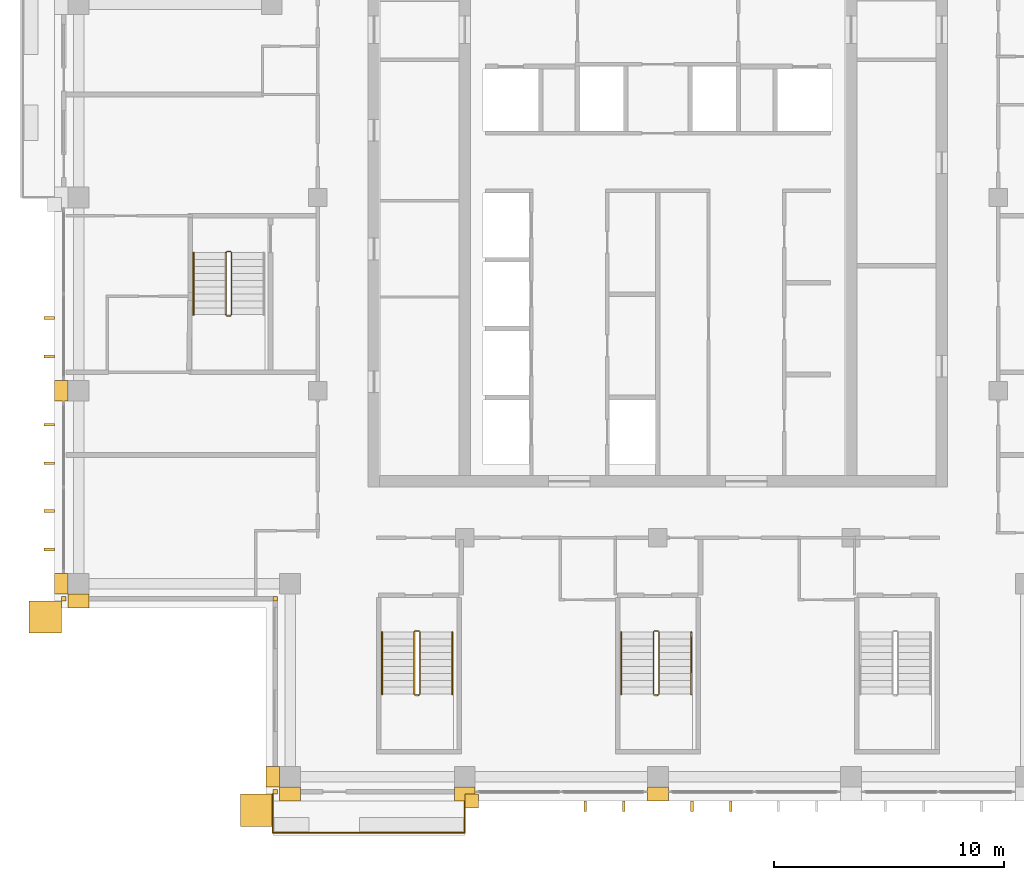
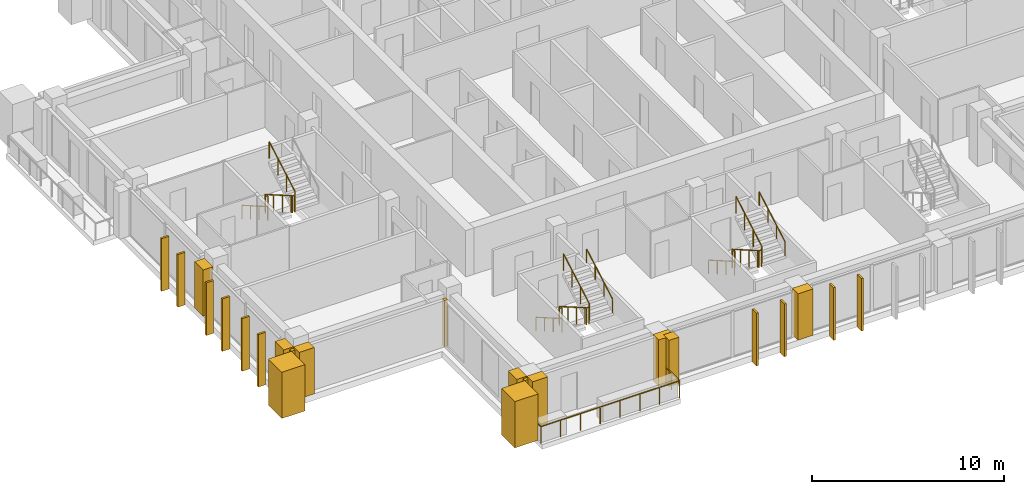
# One storey, part 15 of 18: 23 coverings, 9 railings.
"""IFC4 building model written with IfcOpenShell, lengths in metres."""

from ifc_helpers import new_model, si_unit, direction, frame, origin, origin_2d, place, context, subcontext, project, spatial, polyline, rectangle, outline, extrude, material, layer, layer_set, type_object, element, save


model = new_model("IFC4")

# Units and contexts
model_context = context("Model", 3, precision=1e-05, world=origin(), true_north=direction((0.0, 1.0)))
body_context = subcontext(model_context, "Body", "Model", "MODEL_VIEW")
ifc_project = project(units=[si_unit("LENGTHUNIT", "METRE"), si_unit("AREAUNIT", "SQUARE_METRE"), si_unit("VOLUMEUNIT", "CUBIC_METRE"), si_unit("PLANEANGLEUNIT", "RADIAN"), si_unit("MASSUNIT", "GRAM", prefix="KILO")], contexts=[model_context])

# Site, building, storey
site_placement = place(None, origin())
site = spatial("IfcSite", under=ifc_project, at=site_placement, CompositionType="ELEMENT")
building_placement = place(site_placement, origin())
building = spatial("IfcBuilding", under=site, at=building_placement, Name="Vermilion Ogive Tower", CompositionType="ELEMENT")
storey_placement = place(building_placement, frame((0.0, 0.0, 261.39990234375)))
storey = spatial("IfcBuildingStorey", under=building, at=storey_placement, Name="L69", CompositionType="ELEMENT", Elevation=261.39990234375)

# Railing
ifc_material_1 = material(Name="Stainless steel and glass", Category="steel")
railing_type_1 = type_object("IfcRailingType", Name="Balcony guard", PredefinedType="GUARDRAIL", material=ifc_material_1)
railing_1_placement = place(storey_placement, frame((-16.75, -21.75, -0.039794921875)))
element("IfcRailing", 1, at=railing_1_placement, inside=storey, type_object=railing_type_1, Name="Guard S01", PredefinedType="GUARDRAIL", context=body_context, shape_type="SweptSolid", body=[
    extrude(rectangle(XDim=0.048095703125, YDim=0.048095703125, at=origin_2d()), frame((0.0, 0.0, 1.076171875), z_axis=(0.0, -1.0, 0.0), x_axis=(1.0, 0.0, 0.0)), (0.0, 0.0, 1.0), 1.677978515625),
    extrude(rectangle(XDim=0.048095703125, YDim=0.048095703125, at=origin_2d()), frame((0.0, -1.677978515625, 1.076171875), z_axis=(1.0, 0.0, 0.0), x_axis=(0.0, 1.0, 0.0)), (0.0, 0.0, 1.0), 8.35009765625),
    extrude(rectangle(XDim=0.048095703125, YDim=0.048095703125, at=origin_2d()), frame((8.35009765625, -1.677978515625, 1.076171875), z_axis=(0.0, 1.0, 0.0), x_axis=(-1.0, 0.0, 0.0)), (0.0, 0.0, 1.0), 1.677978515625),
    extrude(rectangle(XDim=0.0419921875, YDim=0.0419921875, at=origin_2d()), origin(), (0.0, 0.0, 1.0), 1.052001953125),
    extrude(rectangle(XDim=0.0419921875, YDim=0.0419921875, at=origin_2d()), frame((0.0, -0.8388671875, 0.0)), (0.0, 0.0, 1.0), 1.052001953125),
    extrude(rectangle(XDim=0.0419921875, YDim=0.0419921875, at=origin_2d()), frame((0.0, -1.677978515625, 0.0)), (0.0, 0.0, 1.0), 1.052001953125),
    extrude(rectangle(XDim=0.0419921875, YDim=0.0419921875, at=origin_2d()), frame((1.19287109375, -1.677978515625, 0.0)), (0.0, 0.0, 1.0), 1.052001953125),
    extrude(rectangle(XDim=0.0419921875, YDim=0.0419921875, at=origin_2d()), frame((2.3857421875, -1.677978515625, 0.0)), (0.0, 0.0, 1.0), 1.052001953125),
    extrude(rectangle(XDim=0.0419921875, YDim=0.0419921875, at=origin_2d()), frame((3.57861328125, -1.677978515625, 0.0)), (0.0, 0.0, 1.0), 1.052001953125),
    extrude(rectangle(XDim=0.0419921875, YDim=0.0419921875, at=origin_2d()), frame((4.771484375, -1.677978515625, 0.0)), (0.0, 0.0, 1.0), 1.052001953125),
    extrude(rectangle(XDim=0.0419921875, YDim=0.0419921875, at=origin_2d()), frame((5.96435546875, -1.677978515625, 0.0)), (0.0, 0.0, 1.0), 1.052001953125),
    extrude(rectangle(XDim=0.0419921875, YDim=0.0419921875, at=origin_2d()), frame((7.1572265625, -1.677978515625, 0.0)), (0.0, 0.0, 1.0), 1.052001953125),
    extrude(rectangle(XDim=0.0419921875, YDim=0.0419921875, at=origin_2d()), frame((8.35009765625, -1.677978515625, 0.0)), (0.0, 0.0, 1.0), 1.052001953125),
    extrude(rectangle(XDim=0.0419921875, YDim=0.0419921875, at=origin_2d()), frame((8.35009765625, -0.8388671875, 0.0)), (0.0, 0.0, 1.0), 1.052001953125),
    extrude(rectangle(XDim=0.0419921875, YDim=0.0419921875, at=origin_2d()), frame((8.35009765625, 0.0, 0.0)), (0.0, 0.0, 1.0), 1.052001953125),
])

# Coverings
ifc_material_2 = material(Name="Glazed ceramic screen")
ifc_layer = layer(ifc_material_2, 0.14990234375)
ifc_layer_set = layer_set([ifc_layer], Name="Ceramic solar screen fin")
covering_type_1 = type_object("IfcCoveringType", Name="Ceramic solar screen fin", PredefinedType="CLADDING", material=ifc_layer_set)
covering_1_placement = place(storey_placement, frame((0.0, 0.0, -0.39990234375)))
element("IfcCovering", 2, at=covering_1_placement, inside=storey, type_object=covering_type_1, Name="Solar screen blade S991", PredefinedType="CLADDING", context=body_context, shape_type="SweptSolid", body=[
    extrude(outline(polyline([(-3.222412109375, -22.5), (-3.1025390625, -22.5), (-3.1025390625, -22.050048828125), (-3.222412109375, -22.050048828125), (-3.222412109375, -22.5)])), origin(), (0.0, 0.0, 1.0), 3.35009765625),
])
covering_2_placement = place(storey_placement, frame((0.0, 0.0, -0.39990234375)))
element("IfcCovering", 3, at=covering_2_placement, inside=storey, type_object=covering_type_1, Name="Solar screen blade S992", PredefinedType="CLADDING", context=body_context, shape_type="SweptSolid", body=[
    extrude(outline(polyline([(-1.547607421875, -22.5), (-1.427490234375, -22.5), (-1.427490234375, -22.050048828125), (-1.547607421875, -22.050048828125), (-1.547607421875, -22.5)])), origin(), (0.0, 0.0, 1.0), 3.35009765625),
])
covering_3_placement = place(storey_placement, frame((0.0, 0.0, -0.39990234375)))
element("IfcCovering", 4, at=covering_3_placement, inside=storey, type_object=covering_type_1, Name="Solar screen blade S001", PredefinedType="CLADDING", context=body_context, shape_type="SweptSolid", body=[
    extrude(outline(polyline([(1.427490234375, -22.5), (1.547607421875, -22.5), (1.547607421875, -22.050048828125), (1.427490234375, -22.050048828125), (1.427490234375, -22.5)])), origin(), (0.0, 0.0, 1.0), 3.35009765625),
])
covering_4_placement = place(storey_placement, frame((0.0, 0.0, -0.39990234375)))
element("IfcCovering", 5, at=covering_4_placement, inside=storey, type_object=covering_type_1, Name="Solar screen blade S002", PredefinedType="CLADDING", context=body_context, shape_type="SweptSolid", body=[
    extrude(outline(polyline([(3.1025390625, -22.5), (3.222412109375, -22.5), (3.222412109375, -22.050048828125), (3.1025390625, -22.050048828125), (3.1025390625, -22.5)])), origin(), (0.0, 0.0, 1.0), 3.35009765625),
])
covering_5_placement = place(storey_placement, frame((0.0, 0.0, -0.39990234375)))
element("IfcCovering", 6, at=covering_5_placement, inside=storey, type_object=covering_type_1, Name="Solar screen blade W991", PredefinedType="CLADDING", context=body_context, shape_type="SweptSolid", body=[
    extrude(outline(polyline([(-26.699951171875, -0.9775390625), (-26.699951171875, -1.097412109375), (-26.25, -1.097412109375), (-26.25, -0.9775390625), (-26.699951171875, -0.9775390625)])), origin(), (0.0, 0.0, 1.0), 3.35009765625),
])
covering_6_placement = place(storey_placement, frame((0.0, 0.0, -0.39990234375)))
element("IfcCovering", 7, at=covering_6_placement, inside=storey, type_object=covering_type_1, Name="Solar screen blade W992", PredefinedType="CLADDING", context=body_context, shape_type="SweptSolid", body=[
    extrude(outline(polyline([(-26.699951171875, -2.652587890625), (-26.699951171875, -2.7724609375), (-26.25, -2.7724609375), (-26.25, -2.652587890625), (-26.699951171875, -2.652587890625)])), origin(), (0.0, 0.0, 1.0), 3.35009765625),
])
covering_7_placement = place(storey_placement, frame((0.0, 0.0, -0.39990234375)))
element("IfcCovering", 8, at=covering_7_placement, inside=storey, type_object=covering_type_1, Name="Solar screen blade W971", PredefinedType="CLADDING", context=body_context, shape_type="SweptSolid", body=[
    extrude(outline(polyline([(-26.699951171875, -9.37744140625), (-26.699951171875, -9.49755859375), (-26.25, -9.49755859375), (-26.25, -9.37744140625), (-26.699951171875, -9.37744140625)])), origin(), (0.0, 0.0, 1.0), 3.35009765625),
])
covering_8_placement = place(storey_placement, frame((0.0, 0.0, -0.39990234375)))
element("IfcCovering", 9, at=covering_8_placement, inside=storey, type_object=covering_type_1, Name="Solar screen blade W972", PredefinedType="CLADDING", context=body_context, shape_type="SweptSolid", body=[
    extrude(outline(polyline([(-26.699951171875, -11.052490234375), (-26.699951171875, -11.172607421875), (-26.25, -11.172607421875), (-26.25, -11.052490234375), (-26.699951171875, -11.052490234375)])), origin(), (0.0, 0.0, 1.0), 3.35009765625),
])
covering_9_placement = place(storey_placement, frame((0.0, 0.0, -0.39990234375)))
element("IfcCovering", 10, at=covering_9_placement, inside=storey, type_object=covering_type_1, Name="Solar screen blade W981", PredefinedType="CLADDING", context=body_context, shape_type="SweptSolid", body=[
    extrude(outline(polyline([(-26.699951171875, -5.62744140625), (-26.699951171875, -5.74755859375), (-26.25, -5.74755859375), (-26.25, -5.62744140625), (-26.699951171875, -5.62744140625)])), origin(), (0.0, 0.0, 1.0), 3.35009765625),
])
covering_10_placement = place(storey_placement, frame((0.0, 0.0, -0.39990234375)))
element("IfcCovering", 11, at=covering_10_placement, inside=storey, type_object=covering_type_1, Name="Solar screen blade W982", PredefinedType="CLADDING", context=body_context, shape_type="SweptSolid", body=[
    extrude(outline(polyline([(-26.699951171875, -7.302490234375), (-26.699951171875, -7.422607421875), (-26.25, -7.422607421875), (-26.25, -7.302490234375), (-26.699951171875, -7.302490234375)])), origin(), (0.0, 0.0, 1.0), 3.35009765625),
])

# Railings
ifc_material_3 = material(Name="Steel S355 painted", Category="steel")
railing_type_2 = type_object("IfcRailingType", Name="Stair guard 1100", PredefinedType="GUARDRAIL", material=ifc_material_3)
railing_2_placement = place(storey_placement, frame((-10.39990234375, -14.64990234375, 0.0)))
element("IfcRailing", 12, at=railing_2_placement, inside=storey, type_object=railing_type_2, Name="L69 ST3 stair guard 4", PredefinedType="GUARDRAIL", context=body_context, shape_type="SweptSolid", body=[
    extrude(rectangle(XDim=0.048095703125, YDim=0.048095703125, at=origin_2d()), frame((0.0, 0.0, 1.076171875), z_axis=(-1.0, 0.0, 0.0), x_axis=(0.0, -1.0, 0.0)), (0.0, 0.0, 1.0), 0.150146484375),
    extrude(rectangle(XDim=0.048095703125, YDim=0.048095703125, at=origin_2d()), frame((-0.150146484375, 0.0, 1.076171875), z_axis=(-0.268277960024, -0.268277960024, 0.925231793839), x_axis=(0.707106781187, -0.707106781187, 0.0)), (0.0, 0.0, 1.0), 0.1865234375),
    extrude(rectangle(XDim=0.048095703125, YDim=0.048095703125, at=origin_2d()), frame((-0.2001953125, -0.050048828125, 1.24853515625), z_axis=(0.0, -0.866903762492, 0.498475542607), x_axis=(1.0, 0.0, 0.0)), (0.0, 0.0, 1.0), 3.114501953125),
    extrude(rectangle(XDim=0.048095703125, YDim=0.048095703125, at=origin_2d()), frame((-0.2001953125, -2.75, 2.80126953125), z_axis=(0.707106781187, -0.707106781187, 0.0), x_axis=(0.707106781187, 0.707106781187, 0.0)), (0.0, 0.0, 1.0), 0.07080078125),
    extrude(rectangle(XDim=0.048095703125, YDim=0.048095703125, at=origin_2d()), frame((-0.150146484375, -2.800048828125, 2.80126953125), z_axis=(1.0, 0.0, 0.0), x_axis=(0.0, 1.0, 0.0)), (0.0, 0.0, 1.0), 0.150146484375),
    extrude(rectangle(XDim=0.048095703125, YDim=0.048095703125, at=origin_2d()), frame((0.0, -2.800048828125, 2.80126953125), z_axis=(0.267062837333, 0.268371968888, 0.925556009775), x_axis=(-0.708833529934, 0.705375805398, 0.0)), (0.0, 0.0, 1.0), 0.1865234375),
    extrude(rectangle(XDim=0.048095703125, YDim=0.048095703125, at=origin_2d()), frame((0.0498046875, -2.75, 2.9736328125), z_axis=(0.0, 0.866903762492, 0.498475542607), x_axis=(-1.0, 0.0, 0.0)), (0.0, 0.0, 1.0), 3.114501953125),
    extrude(rectangle(XDim=0.0419921875, YDim=0.0419921875, at=origin_2d()), origin(), (0.0, 0.0, 1.0), 1.052001953125),
    extrude(rectangle(XDim=0.0419921875, YDim=0.0419921875, at=origin_2d()), frame((-0.150146484375, 0.0, 0.0)), (0.0, 0.0, 1.0), 1.052001953125),
    extrude(rectangle(XDim=0.0419921875, YDim=0.0419921875, at=origin_2d()), frame((-0.2001953125, -0.050048828125, 0.172607421875)), (0.0, 0.0, 1.0), 1.052001953125),
    extrude(rectangle(XDim=0.0419921875, YDim=0.0419921875, at=origin_2d()), frame((-0.2001953125, -0.949951171875, 0.690185546875)), (0.0, 0.0, 1.0), 1.052001953125),
    extrude(rectangle(XDim=0.0419921875, YDim=0.0419921875, at=origin_2d()), frame((-0.2001953125, -1.85009765625, 1.20751953125)), (0.0, 0.0, 1.0), 1.052001953125),
    extrude(rectangle(XDim=0.0419921875, YDim=0.0419921875, at=origin_2d()), frame((-0.2001953125, -2.75, 1.72509765625)), (0.0, 0.0, 1.0), 1.052001953125),
    extrude(rectangle(XDim=0.0419921875, YDim=0.0419921875, at=origin_2d()), frame((-0.150146484375, -2.800048828125, 1.72509765625)), (0.0, 0.0, 1.0), 1.052001953125),
    extrude(rectangle(XDim=0.0419921875, YDim=0.0419921875, at=origin_2d()), frame((0.0, -2.800048828125, 1.72509765625)), (0.0, 0.0, 1.0), 1.052001953125),
    extrude(rectangle(XDim=0.0419921875, YDim=0.0419921875, at=origin_2d()), frame((0.0498046875, -2.75, 1.897705078125)), (0.0, 0.0, 1.0), 1.052001953125),
    extrude(rectangle(XDim=0.0419921875, YDim=0.0419921875, at=origin_2d()), frame((0.0498046875, -1.85009765625, 2.415283203125)), (0.0, 0.0, 1.0), 1.052001953125),
    extrude(rectangle(XDim=0.0419921875, YDim=0.0419921875, at=origin_2d()), frame((0.0498046875, -0.949951171875, 2.9326171875)), (0.0, 0.0, 1.0), 1.052001953125),
    extrude(rectangle(XDim=0.0419921875, YDim=0.0419921875, at=origin_2d()), frame((0.0498046875, -0.050048828125, 3.4501953125)), (0.0, 0.0, 1.0), 1.052001953125),
])
railing_3_placement = place(storey_placement, frame((0.0, -14.64990234375, 0.0)))
element("IfcRailing", 13, at=railing_3_placement, inside=storey, type_object=railing_type_2, Name="L69 ST4 stair guard 4", PredefinedType="GUARDRAIL", context=body_context, shape_type="SweptSolid", body=[
    extrude(rectangle(XDim=0.048095703125, YDim=0.048095703125, at=origin_2d()), frame((0.0, 0.0, 1.076171875), z_axis=(-1.0, 0.0, 0.0), x_axis=(0.0, -1.0, 0.0)), (0.0, 0.0, 1.0), 0.14990234375),
    extrude(rectangle(XDim=0.048095703125, YDim=0.048095703125, at=origin_2d()), frame((-0.14990234375, 0.0, 1.076171875), z_axis=(-0.268277960024, -0.268277960024, 0.925231793839), x_axis=(0.707106781187, -0.707106781187, 0.0)), (0.0, 0.0, 1.0), 0.1865234375),
    extrude(rectangle(XDim=0.048095703125, YDim=0.048095703125, at=origin_2d()), frame((-0.199951171875, -0.050048828125, 1.24853515625), z_axis=(0.0, -0.866903762492, 0.498475542607), x_axis=(1.0, 0.0, 0.0)), (0.0, 0.0, 1.0), 3.114501953125),
    extrude(rectangle(XDim=0.048095703125, YDim=0.048095703125, at=origin_2d()), frame((-0.199951171875, -2.75, 2.80126953125), z_axis=(0.707106781187, -0.707106781187, 0.0), x_axis=(0.707106781187, 0.707106781187, 0.0)), (0.0, 0.0, 1.0), 0.07080078125),
    extrude(rectangle(XDim=0.048095703125, YDim=0.048095703125, at=origin_2d()), frame((-0.14990234375, -2.800048828125, 2.80126953125), z_axis=(1.0, 0.0, 0.0), x_axis=(0.0, 1.0, 0.0)), (0.0, 0.0, 1.0), 0.14990234375),
    extrude(rectangle(XDim=0.048095703125, YDim=0.048095703125, at=origin_2d()), frame((0.0, -2.800048828125, 2.80126953125), z_axis=(0.268277960024, 0.268277960024, 0.925231793839), x_axis=(-0.707106781187, 0.707106781187, 0.0)), (0.0, 0.0, 1.0), 0.1865234375),
    extrude(rectangle(XDim=0.048095703125, YDim=0.048095703125, at=origin_2d()), frame((0.050048828125, -2.75, 2.9736328125), z_axis=(0.0, 0.866903762492, 0.498475542607), x_axis=(-1.0, 0.0, 0.0)), (0.0, 0.0, 1.0), 3.114501953125),
    extrude(rectangle(XDim=0.0419921875, YDim=0.0419921875, at=origin_2d()), origin(), (0.0, 0.0, 1.0), 1.052001953125),
    extrude(rectangle(XDim=0.0419921875, YDim=0.0419921875, at=origin_2d()), frame((-0.14990234375, 0.0, 0.0)), (0.0, 0.0, 1.0), 1.052001953125),
    extrude(rectangle(XDim=0.0419921875, YDim=0.0419921875, at=origin_2d()), frame((-0.199951171875, -0.050048828125, 0.172607421875)), (0.0, 0.0, 1.0), 1.052001953125),
    extrude(rectangle(XDim=0.0419921875, YDim=0.0419921875, at=origin_2d()), frame((-0.199951171875, -0.949951171875, 0.690185546875)), (0.0, 0.0, 1.0), 1.052001953125),
    extrude(rectangle(XDim=0.0419921875, YDim=0.0419921875, at=origin_2d()), frame((-0.199951171875, -1.85009765625, 1.20751953125)), (0.0, 0.0, 1.0), 1.052001953125),
    extrude(rectangle(XDim=0.0419921875, YDim=0.0419921875, at=origin_2d()), frame((-0.199951171875, -2.75, 1.72509765625)), (0.0, 0.0, 1.0), 1.052001953125),
    extrude(rectangle(XDim=0.0419921875, YDim=0.0419921875, at=origin_2d()), frame((-0.14990234375, -2.800048828125, 1.72509765625)), (0.0, 0.0, 1.0), 1.052001953125),
    extrude(rectangle(XDim=0.0419921875, YDim=0.0419921875, at=origin_2d()), frame((0.0, -2.800048828125, 1.72509765625)), (0.0, 0.0, 1.0), 1.052001953125),
    extrude(rectangle(XDim=0.0419921875, YDim=0.0419921875, at=origin_2d()), frame((0.050048828125, -2.75, 1.897705078125)), (0.0, 0.0, 1.0), 1.052001953125),
    extrude(rectangle(XDim=0.0419921875, YDim=0.0419921875, at=origin_2d()), frame((0.050048828125, -1.85009765625, 2.415283203125)), (0.0, 0.0, 1.0), 1.052001953125),
    extrude(rectangle(XDim=0.0419921875, YDim=0.0419921875, at=origin_2d()), frame((0.050048828125, -0.949951171875, 2.9326171875)), (0.0, 0.0, 1.0), 1.052001953125),
    extrude(rectangle(XDim=0.0419921875, YDim=0.0419921875, at=origin_2d()), frame((0.050048828125, -0.050048828125, 3.4501953125)), (0.0, 0.0, 1.0), 1.052001953125),
])
railing_4_placement = place(storey_placement, frame((-18.60009765625, 1.85009765625, 0.0)))
element("IfcRailing", 14, at=railing_4_placement, inside=storey, type_object=railing_type_2, Name="L69 ST9 stair guard 4", PredefinedType="GUARDRAIL", context=body_context, shape_type="SweptSolid", body=[
    extrude(rectangle(XDim=0.048095703125, YDim=0.048095703125, at=origin_2d()), frame((0.0, 0.0, 1.076171875), z_axis=(-1.0, 0.0, 0.0), x_axis=(0.0, -1.0, 0.0)), (0.0, 0.0, 1.0), 0.14990234375),
    extrude(rectangle(XDim=0.048095703125, YDim=0.048095703125, at=origin_2d()), frame((-0.14990234375, 0.0, 1.076171875), z_axis=(-0.268277960024, -0.268277960024, 0.925231793839), x_axis=(0.707106781187, -0.707106781187, 0.0)), (0.0, 0.0, 1.0), 0.1865234375),
    extrude(rectangle(XDim=0.048095703125, YDim=0.048095703125, at=origin_2d()), frame((-0.199951171875, -0.050048828125, 1.24853515625), z_axis=(0.0, -0.866903762492, 0.498475542607), x_axis=(1.0, 0.0, 0.0)), (0.0, 0.0, 1.0), 3.114501953125),
    extrude(rectangle(XDim=0.048095703125, YDim=0.048095703125, at=origin_2d()), frame((-0.199951171875, -2.75, 2.80126953125), z_axis=(0.707106781187, -0.707106781187, 0.0), x_axis=(0.707106781187, 0.707106781187, 0.0)), (0.0, 0.0, 1.0), 0.07080078125),
    extrude(rectangle(XDim=0.048095703125, YDim=0.048095703125, at=origin_2d()), frame((-0.14990234375, -2.800048828125, 2.80126953125), z_axis=(1.0, 0.0, 0.0), x_axis=(0.0, 1.0, 0.0)), (0.0, 0.0, 1.0), 0.14990234375),
    extrude(rectangle(XDim=0.048095703125, YDim=0.048095703125, at=origin_2d()), frame((0.0, -2.800048828125, 2.80126953125), z_axis=(0.268277960024, 0.268277960024, 0.925231793839), x_axis=(-0.707106781187, 0.707106781187, 0.0)), (0.0, 0.0, 1.0), 0.1865234375),
    extrude(rectangle(XDim=0.048095703125, YDim=0.048095703125, at=origin_2d()), frame((0.050048828125, -2.75, 2.9736328125), z_axis=(0.0, 0.866903762492, 0.498475542607), x_axis=(-1.0, 0.0, 0.0)), (0.0, 0.0, 1.0), 3.114501953125),
    extrude(rectangle(XDim=0.0419921875, YDim=0.0419921875, at=origin_2d()), origin(), (0.0, 0.0, 1.0), 1.052001953125),
    extrude(rectangle(XDim=0.0419921875, YDim=0.0419921875, at=origin_2d()), frame((-0.14990234375, 0.0, 0.0)), (0.0, 0.0, 1.0), 1.052001953125),
    extrude(rectangle(XDim=0.0419921875, YDim=0.0419921875, at=origin_2d()), frame((-0.199951171875, -0.050048828125, 0.172607421875)), (0.0, 0.0, 1.0), 1.052001953125),
    extrude(rectangle(XDim=0.0419921875, YDim=0.0419921875, at=origin_2d()), frame((-0.199951171875, -0.949951171875, 0.690185546875)), (0.0, 0.0, 1.0), 1.052001953125),
    extrude(rectangle(XDim=0.0419921875, YDim=0.0419921875, at=origin_2d()), frame((-0.199951171875, -1.85009765625, 1.20751953125)), (0.0, 0.0, 1.0), 1.052001953125),
    extrude(rectangle(XDim=0.0419921875, YDim=0.0419921875, at=origin_2d()), frame((-0.199951171875, -2.75, 1.72509765625)), (0.0, 0.0, 1.0), 1.052001953125),
    extrude(rectangle(XDim=0.0419921875, YDim=0.0419921875, at=origin_2d()), frame((-0.14990234375, -2.800048828125, 1.72509765625)), (0.0, 0.0, 1.0), 1.052001953125),
    extrude(rectangle(XDim=0.0419921875, YDim=0.0419921875, at=origin_2d()), frame((0.0, -2.800048828125, 1.72509765625)), (0.0, 0.0, 1.0), 1.052001953125),
    extrude(rectangle(XDim=0.0419921875, YDim=0.0419921875, at=origin_2d()), frame((0.050048828125, -2.75, 1.897705078125)), (0.0, 0.0, 1.0), 1.052001953125),
    extrude(rectangle(XDim=0.0419921875, YDim=0.0419921875, at=origin_2d()), frame((0.050048828125, -1.85009765625, 2.415283203125)), (0.0, 0.0, 1.0), 1.052001953125),
    extrude(rectangle(XDim=0.0419921875, YDim=0.0419921875, at=origin_2d()), frame((0.050048828125, -0.949951171875, 2.9326171875)), (0.0, 0.0, 1.0), 1.052001953125),
    extrude(rectangle(XDim=0.0419921875, YDim=0.0419921875, at=origin_2d()), frame((0.050048828125, -0.050048828125, 3.4501953125)), (0.0, 0.0, 1.0), 1.052001953125),
])
ifc_material_4 = material(Name="Stainless steel", Category="steel")
railing_type_3 = type_object("IfcRailingType", Name="Stair handrail 900", PredefinedType="HANDRAIL", material=ifc_material_4)
railing_5_placement = place(storey_placement, frame((-12.0, -14.699951171875, 0.172607421875)))
element("IfcRailing", 15, at=railing_5_placement, inside=storey, type_object=railing_type_3, Name="L69 ST3 stair handrail 1", PredefinedType="HANDRAIL", context=body_context, shape_type="SweptSolid", body=[
    extrude(rectangle(XDim=0.048095703125, YDim=0.048095703125, at=origin_2d()), frame((0.0, 0.0, 0.8759765625), z_axis=(0.0, -0.866903762492, 0.498475542607), x_axis=(1.0, 0.0, 0.0)), (0.0, 0.0, 1.0), 3.114501953125),
    extrude(rectangle(XDim=0.0419921875, YDim=0.0419921875, at=origin_2d()), origin(), (0.0, 0.0, 1.0), 0.851806640625),
    extrude(rectangle(XDim=0.0419921875, YDim=0.0419921875, at=origin_2d()), frame((0.0, -0.89990234375, 0.517578125)), (0.0, 0.0, 1.0), 0.851806640625),
    extrude(rectangle(XDim=0.0419921875, YDim=0.0419921875, at=origin_2d()), frame((0.0, -1.800048828125, 1.034912109375)), (0.0, 0.0, 1.0), 0.851806640625),
    extrude(rectangle(XDim=0.0419921875, YDim=0.0419921875, at=origin_2d()), frame((0.0, -2.699951171875, 1.552490234375)), (0.0, 0.0, 1.0), 0.851806640625),
])
railing_6_placement = place(storey_placement, frame((-8.949951171875, -17.39990234375, 1.897705078125)))
element("IfcRailing", 16, at=railing_6_placement, inside=storey, type_object=railing_type_3, Name="L69 ST3 stair handrail 2", PredefinedType="HANDRAIL", context=body_context, shape_type="SweptSolid", body=[
    extrude(rectangle(XDim=0.048095703125, YDim=0.048095703125, at=origin_2d()), frame((0.0, 0.0, 0.8759765625), z_axis=(0.0, 0.866903762492, 0.498475542607), x_axis=(-1.0, 0.0, 0.0)), (0.0, 0.0, 1.0), 3.114501953125),
    extrude(rectangle(XDim=0.0419921875, YDim=0.0419921875, at=origin_2d()), origin(), (0.0, 0.0, 1.0), 0.851806640625),
    extrude(rectangle(XDim=0.0419921875, YDim=0.0419921875, at=origin_2d()), frame((0.0, 0.89990234375, 0.517578125)), (0.0, 0.0, 1.0), 0.851806640625),
    extrude(rectangle(XDim=0.0419921875, YDim=0.0419921875, at=origin_2d()), frame((0.0, 1.800048828125, 1.034912109375)), (0.0, 0.0, 1.0), 0.851806640625),
    extrude(rectangle(XDim=0.0419921875, YDim=0.0419921875, at=origin_2d()), frame((0.0, 2.699951171875, 1.552490234375)), (0.0, 0.0, 1.0), 0.851806640625),
])
railing_7_placement = place(storey_placement, frame((-1.60009765625, -14.699951171875, 0.172607421875)))
element("IfcRailing", 17, at=railing_7_placement, inside=storey, type_object=railing_type_3, Name="L69 ST4 stair handrail 1", PredefinedType="HANDRAIL", context=body_context, shape_type="SweptSolid", body=[
    extrude(rectangle(XDim=0.048095703125, YDim=0.048095703125, at=origin_2d()), frame((0.0, 0.0, 0.8759765625), z_axis=(0.0, -0.866903762492, 0.498475542607), x_axis=(1.0, 0.0, 0.0)), (0.0, 0.0, 1.0), 3.114501953125),
    extrude(rectangle(XDim=0.0419921875, YDim=0.0419921875, at=origin_2d()), origin(), (0.0, 0.0, 1.0), 0.851806640625),
    extrude(rectangle(XDim=0.0419921875, YDim=0.0419921875, at=origin_2d()), frame((0.0, -0.89990234375, 0.517578125)), (0.0, 0.0, 1.0), 0.851806640625),
    extrude(rectangle(XDim=0.0419921875, YDim=0.0419921875, at=origin_2d()), frame((0.0, -1.800048828125, 1.034912109375)), (0.0, 0.0, 1.0), 0.851806640625),
    extrude(rectangle(XDim=0.0419921875, YDim=0.0419921875, at=origin_2d()), frame((0.0, -2.699951171875, 1.552490234375)), (0.0, 0.0, 1.0), 0.851806640625),
])
railing_8_placement = place(storey_placement, frame((1.449951171875, -17.39990234375, 1.897705078125)))
element("IfcRailing", 18, at=railing_8_placement, inside=storey, type_object=railing_type_3, Name="L69 ST4 stair handrail 2", PredefinedType="HANDRAIL", context=body_context, shape_type="SweptSolid", body=[
    extrude(rectangle(XDim=0.048095703125, YDim=0.048095703125, at=origin_2d()), frame((0.0, 0.0, 0.8759765625), z_axis=(0.0, 0.866903762492, 0.498475542607), x_axis=(-1.0, 0.0, 0.0)), (0.0, 0.0, 1.0), 3.114501953125),
    extrude(rectangle(XDim=0.0419921875, YDim=0.0419921875, at=origin_2d()), origin(), (0.0, 0.0, 1.0), 0.851806640625),
    extrude(rectangle(XDim=0.0419921875, YDim=0.0419921875, at=origin_2d()), frame((0.0, 0.89990234375, 0.517578125)), (0.0, 0.0, 1.0), 0.851806640625),
    extrude(rectangle(XDim=0.0419921875, YDim=0.0419921875, at=origin_2d()), frame((0.0, 1.800048828125, 1.034912109375)), (0.0, 0.0, 1.0), 0.851806640625),
    extrude(rectangle(XDim=0.0419921875, YDim=0.0419921875, at=origin_2d()), frame((0.0, 2.699951171875, 1.552490234375)), (0.0, 0.0, 1.0), 0.851806640625),
])
railing_9_placement = place(storey_placement, frame((-20.199951171875, 1.800048828125, 0.172607421875)))
element("IfcRailing", 19, at=railing_9_placement, inside=storey, type_object=railing_type_3, Name="L69 ST9 stair handrail 1", PredefinedType="HANDRAIL", context=body_context, shape_type="SweptSolid", body=[
    extrude(rectangle(XDim=0.048095703125, YDim=0.048095703125, at=origin_2d()), frame((0.0, 0.0, 0.8759765625), z_axis=(0.0, -0.866903762492, 0.498475542607), x_axis=(1.0, 0.0, 0.0)), (0.0, 0.0, 1.0), 3.114501953125),
    extrude(rectangle(XDim=0.0419921875, YDim=0.0419921875, at=origin_2d()), origin(), (0.0, 0.0, 1.0), 0.851806640625),
    extrude(rectangle(XDim=0.0419921875, YDim=0.0419921875, at=origin_2d()), frame((0.0, -0.89990234375, 0.517578125)), (0.0, 0.0, 1.0), 0.851806640625),
    extrude(rectangle(XDim=0.0419921875, YDim=0.0419921875, at=origin_2d()), frame((0.0, -1.800048828125, 1.034912109375)), (0.0, 0.0, 1.0), 0.851806640625),
    extrude(rectangle(XDim=0.0419921875, YDim=0.0419921875, at=origin_2d()), frame((0.0, -2.699951171875, 1.552490234375)), (0.0, 0.0, 1.0), 0.851806640625),
])

# Coverings
ifc_material_5 = material(Name="Stone cladding", Category="masonry")
covering_type_2 = type_object("IfcCoveringType", Name="Stone corner buttress", PredefinedType="CLADDING", material=ifc_material_5)
covering_11_placement = place(storey_placement, origin())
element("IfcCovering", 20, at=covering_11_placement, inside=storey, type_object=covering_type_2, Name="Stone crease pier SK", PredefinedType="CLADDING", context=body_context, shape_type="SweptSolid", body=[
    extrude(outline(polyline([(-8.39990234375, -22.35009765625), (-7.800048828125, -22.35009765625), (-7.800048828125, -21.75), (-8.39990234375, -21.75), (-8.39990234375, -22.35009765625)])), origin(), (0.0, 0.0, 1.0), 2.9501953125),
])
covering_12_placement = place(storey_placement, origin())
element("IfcCovering", 21, at=covering_12_placement, inside=storey, type_object=covering_type_2, Name="Stone corner buttress S1", PredefinedType="CLADDING", context=body_context, shape_type="SweptSolid", body=[
    extrude(outline(polyline([(-18.14990234375, -21.75), (-16.75, -21.75), (-16.75, -22.050048828125), (-16.75, -23.14990234375), (-18.14990234375, -23.14990234375), (-18.14990234375, -21.75)])), origin(), (0.0, 0.0, 1.0), 2.9501953125),
])
covering_13_placement = place(storey_placement, origin())
element("IfcCovering", 22, at=covering_13_placement, inside=storey, type_object=covering_type_2, Name="Stone corner buttress X71", PredefinedType="CLADDING", context=body_context, shape_type="SweptSolid", body=[
    extrude(outline(polyline([(-27.35009765625, -14.75), (-27.35009765625, -13.35009765625), (-25.949951171875, -13.35009765625), (-25.949951171875, -14.75), (-27.35009765625, -14.75)])), origin(), (0.0, 0.0, 1.0), 2.9501953125),
])
ifc_material_6 = material(Name="Stone cladding", Category="masonry")
covering_type_3 = type_object("IfcCoveringType", Name="Stone pier", PredefinedType="CLADDING", material=ifc_material_6)
covering_14_placement = place(storey_placement, origin())
element("IfcCovering", 23, at=covering_14_placement, inside=storey, type_object=covering_type_3, Name="Stone pier P+0000-210", PredefinedType="CLADDING", context=body_context, shape_type="SweptSolid", body=[
    extrude(outline(polyline([(0.449951171875, -22.050048828125), (-0.449951171875, -22.050048828125), (-0.449951171875, -21.449951171875), (0.449951171875, -21.449951171875), (0.449951171875, -22.050048828125)])), origin(), (0.0, 0.0, 1.0), 2.9501953125),
])
covering_15_placement = place(storey_placement, origin())
element("IfcCovering", 24, at=covering_15_placement, inside=storey, type_object=covering_type_3, Name="Stone pier P-0084-210", PredefinedType="CLADDING", context=body_context, shape_type="SweptSolid", body=[
    extrude(outline(polyline([(-7.949951171875, -21.449951171875), (-7.949951171875, -21.75), (-8.39990234375, -21.75), (-8.39990234375, -22.050048828125), (-8.85009765625, -22.050048828125), (-8.85009765625, -21.449951171875), (-8.85009765625, -21.449951171875), (-7.949951171875, -21.449951171875)])), origin(), (0.0, 0.0, 1.0), 2.9501953125),
])
covering_16_placement = place(storey_placement, origin())
element("IfcCovering", 25, at=covering_16_placement, inside=storey, type_object=covering_type_3, Name="Stone pier P-0160-210S", PredefinedType="CLADDING", context=body_context, shape_type="SweptSolid", body=[
    extrude(outline(polyline([(-15.550048828125, -22.050048828125), (-16.449951171875, -22.050048828125), (-16.449951171875, -21.449951171875), (-15.550048828125, -21.449951171875), (-15.550048828125, -22.050048828125)])), origin(), (0.0, 0.0, 1.0), 2.9501953125),
])
covering_17_placement = place(storey_placement, origin())
element("IfcCovering", 26, at=covering_17_placement, inside=storey, type_object=covering_type_3, Name="Stone pier P-0160-210X8", PredefinedType="CLADDING", context=body_context, shape_type="SweptSolid", body=[
    extrude(outline(polyline([(-17.050048828125, -20.550048828125), (-16.449951171875, -20.550048828125), (-16.449951171875, -21.449951171875), (-17.050048828125, -21.449951171875), (-17.050048828125, -20.550048828125)])), origin(), (0.0, 0.0, 1.0), 2.9501953125),
])
covering_18_placement = place(storey_placement, origin())
element("IfcCovering", 27, at=covering_18_placement, inside=storey, type_object=covering_type_3, Name="Stone pier P-0252-042", PredefinedType="CLADDING", context=body_context, shape_type="SweptSolid", body=[
    extrude(outline(polyline([(-26.25, -4.64990234375), (-26.25, -3.75), (-25.64990234375, -3.75), (-25.64990234375, -4.64990234375), (-26.25, -4.64990234375)])), origin(), (0.0, 0.0, 1.0), 2.9501953125),
])
covering_19_placement = place(storey_placement, origin())
element("IfcCovering", 28, at=covering_19_placement, inside=storey, type_object=covering_type_3, Name="Stone pier P-0252-126W", PredefinedType="CLADDING", context=body_context, shape_type="SweptSolid", body=[
    extrude(outline(polyline([(-26.25, -13.050048828125), (-26.25, -12.14990234375), (-25.64990234375, -12.14990234375), (-25.64990234375, -13.050048828125), (-26.25, -13.050048828125)])), origin(), (0.0, 0.0, 1.0), 2.9501953125),
])
covering_20_placement = place(storey_placement, origin())
element("IfcCovering", 29, at=covering_20_placement, inside=storey, type_object=covering_type_3, Name="Stone pier P-0252-126X7", PredefinedType="CLADDING", context=body_context, shape_type="SweptSolid", body=[
    extrude(outline(polyline([(-25.64990234375, -13.64990234375), (-25.64990234375, -13.050048828125), (-24.75, -13.050048828125), (-24.75, -13.64990234375), (-25.64990234375, -13.64990234375)])), origin(), (0.0, 0.0, 1.0), 2.9501953125),
])
covering_21_placement = place(storey_placement, origin())
element("IfcCovering", 30, at=covering_21_placement, inside=storey, type_object=covering_type_3, Name="Stone corner pier WE1", PredefinedType="CLADDING", context=body_context, shape_type="SweptSolid", body=[
    extrude(outline(polyline([(-25.75, -13.14990234375), (-25.75, -13.35009765625), (-25.949951171875, -13.35009765625), (-25.949951171875, -13.14990234375), (-25.75, -13.14990234375)])), origin(), (0.0, 0.0, 1.0), 2.9501953125),
])
covering_22_placement = place(storey_placement, origin())
element("IfcCovering", 31, at=covering_22_placement, inside=storey, type_object=covering_type_3, Name="Stone corner pier X7E1", PredefinedType="CLADDING", context=body_context, shape_type="SweptSolid", body=[
    extrude(outline(polyline([(-16.550048828125, -13.14990234375), (-16.550048828125, -13.35009765625), (-16.75, -13.35009765625), (-16.75, -13.14990234375), (-16.550048828125, -13.14990234375)])), origin(), (0.0, 0.0, 1.0), 2.9501953125),
])
covering_23_placement = place(storey_placement, origin())
element("IfcCovering", 32, at=covering_23_placement, inside=storey, type_object=covering_type_3, Name="Stone corner pier X8E1", PredefinedType="CLADDING", context=body_context, shape_type="SweptSolid", body=[
    extrude(outline(polyline([(-16.550048828125, -21.550048828125), (-16.550048828125, -21.75), (-16.75, -21.75), (-16.75, -21.550048828125), (-16.550048828125, -21.550048828125)])), origin(), (0.0, 0.0, 1.0), 2.9501953125),
])

save(model, "model.ifc")
